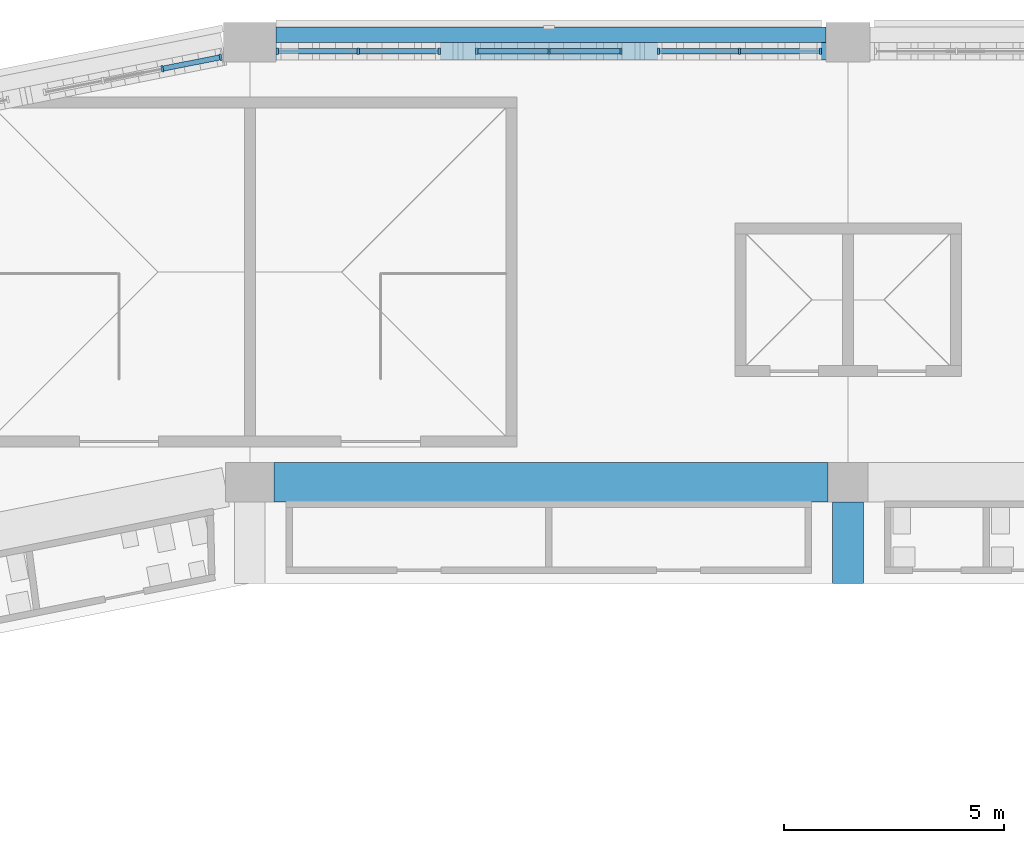
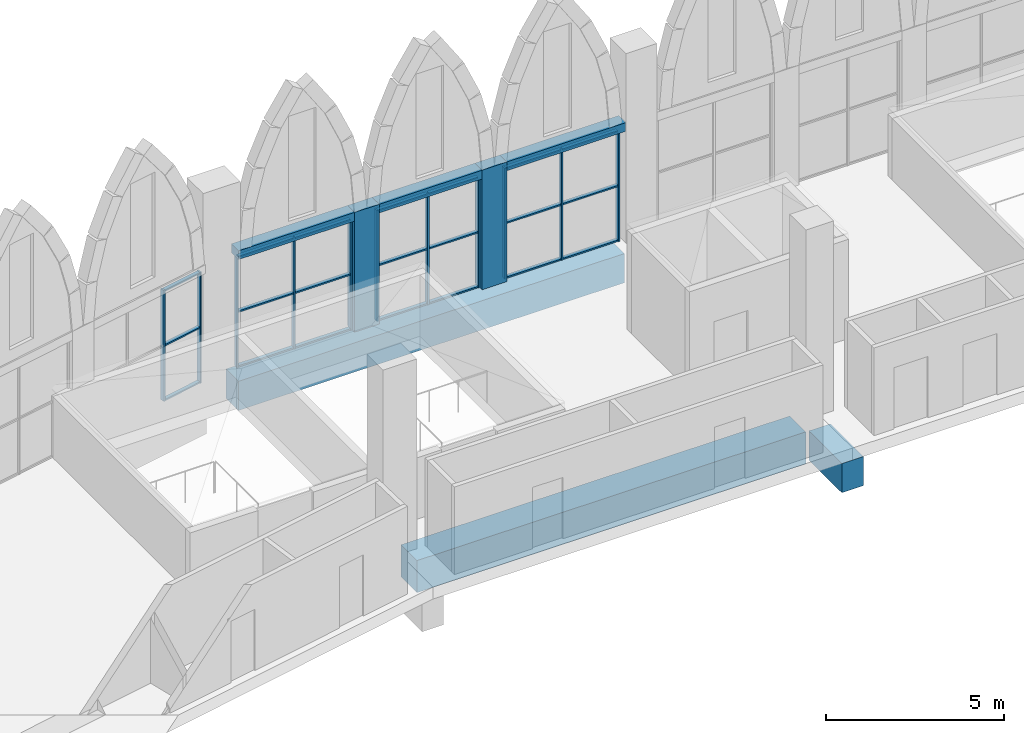
# One storey, part 35 of 130: 34 members, 6 beams, 4 elements without a shape of their own.
"""IFC4 building model written with IfcOpenShell, lengths in metres."""

from ifc_helpers import new_model, si_unit, direction, frame, origin, origin_2d, place, context, subcontext, project, spatial, rectangle, extrude, material, material_profile, profile_set, type_object, element, aggregate, save


model = new_model("IFC4")

# Units and contexts
model_context = context("Model", 3, precision=1e-05, world=origin(), true_north=direction((0.0, 1.0)))
body_context = subcontext(model_context, "Body", "Model", "MODEL_VIEW")
ifc_project = project(units=[si_unit("LENGTHUNIT", "METRE"), si_unit("AREAUNIT", "SQUARE_METRE"), si_unit("VOLUMEUNIT", "CUBIC_METRE"), si_unit("PLANEANGLEUNIT", "RADIAN"), si_unit("MASSUNIT", "GRAM", prefix="KILO")], contexts=[model_context])

# Site, building, storey
site_placement = place(None, origin())
site = spatial("IfcSite", under=ifc_project, at=site_placement, CompositionType="ELEMENT")
building_placement = place(site_placement, origin())
building = spatial("IfcBuilding", under=site, at=building_placement, Name="Ogive Plaza Stadium", CompositionType="ELEMENT")
storey_placement = place(building_placement, frame((0.0, 0.0, 22.5)))
storey = spatial("IfcBuildingStorey", under=building, at=storey_placement, Name="L05", CompositionType="ELEMENT", Elevation=22.5)

# Curtain wall, members
ifc_material_1 = material(Name="Bronze-anodised aluminium with laminated glass", Category="aluminium")
curtain_wall_type = type_object("IfcCurtainWallType", Name="Lancet curtain wall", PredefinedType="NOTDEFINED", material=ifc_material_1)
curtain_wall_1_placement = place(storey_placement, origin())
curtain_wall_1 = element("IfcCurtainWall", 1, at=curtain_wall_1_placement, inside=storey, type_object=curtain_wall_type, Name="CURTAIN WALL B31 L05", PredefinedType="NOTDEFINED")
ifc_material_2 = material(Name="Bronze-anodised aluminium", Category="aluminium")
ifc_material_profile_1 = material_profile(ifc_material_2, rectangle(XDim=0.14990234375, YDim=0.050048828125, at=origin_2d()), Name="AL 150x50")
ifc_profile_set_1 = profile_set([ifc_material_profile_1], Name="Bronze-anodised aluminium")
member_type_1 = type_object("IfcMemberType", Name="Curtain wall mullion 50x150", PredefinedType="MULLION", material=ifc_profile_set_1)
member_1_placement = place(storey_placement, frame((-35.98974609375, 101.900390625, 0.0), z_axis=(0.0, 0.0, 1.0), x_axis=(-0.195090322016, 0.980785280403, 0.0)))
member_1 = element("IfcMember", 2, at=member_1_placement, type_object=member_type_1, Name="CW-B31-L05.4 mullion 3", PredefinedType="MULLION", context=body_context, shape_type="SweptSolid", body=[
    extrude(rectangle(XDim=0.14990234375, YDim=0.050048828125, at=origin_2d()), origin(), (0.0, 0.0, 1.0), 3.800048828125),
])
member_2_placement = place(storey_placement, frame((-34.66357421875, 102.1640625, 0.0), z_axis=(0.0, 0.0, 1.0), x_axis=(-0.195090322016, 0.980785280403, 0.0)))
member_2 = element("IfcMember", 3, at=member_2_placement, type_object=member_type_1, Name="CW-B31-L05.4 mullion 4", PredefinedType="MULLION", context=body_context, shape_type="SweptSolid", body=[
    extrude(rectangle(XDim=0.14990234375, YDim=0.050048828125, at=origin_2d()), origin(), (0.0, 0.0, 1.0), 3.800048828125),
])

curtain_wall_2_placement = place(storey_placement, origin())
curtain_wall_2 = element("IfcCurtainWall", 4, at=curtain_wall_2_placement, inside=storey, type_object=curtain_wall_type, Name="CURTAIN WALL B32 L05", PredefinedType="NOTDEFINED")
member_3_placement = place(storey_placement, frame((-33.375, 102.300048828125, 0.0), z_axis=(0.0, 0.0, 1.0), x_axis=(0.0, 1.0, 0.0)))
member_3 = element("IfcMember", 5, at=member_3_placement, type_object=member_type_1, Name="CW-B32-L05.1 mullion 1", PredefinedType="MULLION", context=body_context, shape_type="SweptSolid", body=[
    extrude(rectangle(XDim=0.14990234375, YDim=0.050048828125, at=origin_2d()), origin(), (0.0, 0.0, 1.0), 3.800048828125),
])
member_4_placement = place(storey_placement, frame((-31.533447265625, 102.300048828125, 0.0), z_axis=(0.0, 0.0, 1.0), x_axis=(0.0, 1.0, 0.0)))
member_4 = element("IfcMember", 6, at=member_4_placement, type_object=member_type_1, Name="CW-B32-L05.1 mullion 2", PredefinedType="MULLION", context=body_context, shape_type="SweptSolid", body=[
    extrude(rectangle(XDim=0.14990234375, YDim=0.050048828125, at=origin_2d()), origin(), (0.0, 0.0, 1.0), 3.800048828125),
])
member_5_placement = place(storey_placement, frame((-29.691650390625, 102.300048828125, 0.0), z_axis=(0.0, 0.0, 1.0), x_axis=(0.0, 1.0, 0.0)))
member_5 = element("IfcMember", 7, at=member_5_placement, type_object=member_type_1, Name="CW-B32-L05.1 mullion 3", PredefinedType="MULLION", context=body_context, shape_type="SweptSolid", body=[
    extrude(rectangle(XDim=0.14990234375, YDim=0.050048828125, at=origin_2d()), origin(), (0.0, 0.0, 1.0), 3.800048828125),
])

curtain_wall_3_placement = place(storey_placement, origin())
curtain_wall_3 = element("IfcCurtainWall", 8, at=curtain_wall_3_placement, inside=storey, type_object=curtain_wall_type, Name="CURTAIN WALL B32 L05", PredefinedType="NOTDEFINED")
member_6_placement = place(storey_placement, frame((-28.841552734375, 102.300048828125, 0.0), z_axis=(0.0, 0.0, 1.0), x_axis=(0.0, 1.0, 0.0)))
member_6 = element("IfcMember", 9, at=member_6_placement, type_object=member_type_1, Name="CW-B32-L05.2 mullion 1", PredefinedType="MULLION", context=body_context, shape_type="SweptSolid", body=[
    extrude(rectangle(XDim=0.14990234375, YDim=0.050048828125, at=origin_2d()), origin(), (0.0, 0.0, 1.0), 3.800048828125),
])
member_7_placement = place(storey_placement, frame((-27.199951171875, 102.300048828125, 0.0), z_axis=(0.0, 0.0, 1.0), x_axis=(0.0, 1.0, 0.0)))
member_7 = element("IfcMember", 10, at=member_7_placement, type_object=member_type_1, Name="CW-B32-L05.2 mullion 2", PredefinedType="MULLION", context=body_context, shape_type="SweptSolid", body=[
    extrude(rectangle(XDim=0.14990234375, YDim=0.050048828125, at=origin_2d()), origin(), (0.0, 0.0, 1.0), 3.800048828125),
])
member_8_placement = place(storey_placement, frame((-25.558349609375, 102.300048828125, 0.0), z_axis=(0.0, 0.0, 1.0), x_axis=(0.0, 1.0, 0.0)))
member_8 = element("IfcMember", 11, at=member_8_placement, type_object=member_type_1, Name="CW-B32-L05.2 mullion 3", PredefinedType="MULLION", context=body_context, shape_type="SweptSolid", body=[
    extrude(rectangle(XDim=0.14990234375, YDim=0.050048828125, at=origin_2d()), origin(), (0.0, 0.0, 1.0), 3.800048828125),
])

curtain_wall_4_placement = place(storey_placement, origin())
curtain_wall_4 = element("IfcCurtainWall", 12, at=curtain_wall_4_placement, inside=storey, type_object=curtain_wall_type, Name="CURTAIN WALL B32 L05", PredefinedType="NOTDEFINED")
member_9_placement = place(storey_placement, frame((-24.708251953125, 102.300048828125, 0.0), z_axis=(0.0, 0.0, 1.0), x_axis=(0.0, 1.0, 0.0)))
member_9 = element("IfcMember", 13, at=member_9_placement, type_object=member_type_1, Name="CW-B32-L05.3 mullion 1", PredefinedType="MULLION", context=body_context, shape_type="SweptSolid", body=[
    extrude(rectangle(XDim=0.14990234375, YDim=0.050048828125, at=origin_2d()), origin(), (0.0, 0.0, 1.0), 3.800048828125),
])
member_10_placement = place(storey_placement, frame((-22.86669921875, 102.300048828125, 0.0), z_axis=(0.0, 0.0, 1.0), x_axis=(0.0, 1.0, 0.0)))
member_10 = element("IfcMember", 14, at=member_10_placement, type_object=member_type_1, Name="CW-B32-L05.3 mullion 2", PredefinedType="MULLION", context=body_context, shape_type="SweptSolid", body=[
    extrude(rectangle(XDim=0.14990234375, YDim=0.050048828125, at=origin_2d()), origin(), (0.0, 0.0, 1.0), 3.800048828125),
])
member_11_placement = place(storey_placement, frame((-21.02490234375, 102.300048828125, 0.0), z_axis=(0.0, 0.0, 1.0), x_axis=(0.0, 1.0, 0.0)))
member_11 = element("IfcMember", 15, at=member_11_placement, type_object=member_type_1, Name="CW-B32-L05.3 mullion 3", PredefinedType="MULLION", context=body_context, shape_type="SweptSolid", body=[
    extrude(rectangle(XDim=0.14990234375, YDim=0.050048828125, at=origin_2d()), origin(), (0.0, 0.0, 1.0), 3.800048828125),
])

# Member
ifc_material_3 = material(Name="Bronze-anodised aluminium", Category="aluminium")
ifc_material_profile_2 = material_profile(ifc_material_3, rectangle(XDim=0.1201171875, YDim=0.050048828125, at=origin_2d()), Name="AL 120x50")
ifc_profile_set_2 = profile_set([ifc_material_profile_2], Name="Bronze-anodised aluminium")
member_type_2 = type_object("IfcMemberType", Name="Curtain wall transom 50x120", PredefinedType="USERDEFINED", material=ifc_profile_set_2)
member_12_placement = place(storey_placement, frame((-35.96533203125, 101.9052734375, 0.02490234375), z_axis=(0.980810721794, 0.194962375892, 0.0), x_axis=(-0.194962375892, 0.980810721794, 0.0)))
member_12 = element("IfcMember", 16, at=member_12_placement, type_object=member_type_2, Name="CW-B31-L05.4 transom 3.1", ObjectType="TRANSOM", PredefinedType="USERDEFINED", context=body_context, shape_type="SweptSolid", body=[
    extrude(rectangle(XDim=0.1201171875, YDim=0.050048828125, at=origin_2d()), origin(), (0.0, 0.0, 1.0), 1.30224609375),
])

member_13_placement = place(storey_placement, frame((-35.96533203125, 101.9052734375, 1.89990234375), z_axis=(0.980810721794, 0.194962375892, 0.0), x_axis=(-0.194962375892, 0.980810721794, 0.0)))
member_13 = element("IfcMember", 17, at=member_13_placement, type_object=member_type_2, Name="CW-B31-L05.4 transom 3.2", ObjectType="TRANSOM", PredefinedType="USERDEFINED", context=body_context, shape_type="SweptSolid", body=[
    extrude(rectangle(XDim=0.1201171875, YDim=0.050048828125, at=origin_2d()), origin(), (0.0, 0.0, 1.0), 1.30224609375),
])

member_14_placement = place(storey_placement, frame((-35.96533203125, 101.9052734375, 3.77490234375), z_axis=(0.980810721794, 0.194962375892, 0.0), x_axis=(-0.194962375892, 0.980810721794, 0.0)))
member_14 = element("IfcMember", 18, at=member_14_placement, type_object=member_type_2, Name="CW-B31-L05.4 transom 3.3", ObjectType="TRANSOM", PredefinedType="USERDEFINED", context=body_context, shape_type="SweptSolid", body=[
    extrude(rectangle(XDim=0.1201171875, YDim=0.050048828125, at=origin_2d()), origin(), (0.0, 0.0, 1.0), 1.30224609375),
])

aggregate(curtain_wall_1, [member_1, member_2, member_12, member_13, member_14])

member_15_placement = place(storey_placement, frame((-33.35009765625, 102.300048828125, 0.02490234375), z_axis=(1.0, 0.0, 0.0), x_axis=(0.0, 1.0, 0.0)))
member_15 = element("IfcMember", 19, at=member_15_placement, type_object=member_type_2, Name="CW-B32-L05.1 transom 1.1", ObjectType="TRANSOM", PredefinedType="USERDEFINED", context=body_context, shape_type="SweptSolid", body=[
    extrude(rectangle(XDim=0.1201171875, YDim=0.050048828125, at=origin_2d()), origin(), (0.0, 0.0, 1.0), 1.791748046875),
])

member_16_placement = place(storey_placement, frame((-33.35009765625, 102.300048828125, 1.89990234375), z_axis=(1.0, 0.0, 0.0), x_axis=(0.0, 1.0, 0.0)))
member_16 = element("IfcMember", 20, at=member_16_placement, type_object=member_type_2, Name="CW-B32-L05.1 transom 1.2", ObjectType="TRANSOM", PredefinedType="USERDEFINED", context=body_context, shape_type="SweptSolid", body=[
    extrude(rectangle(XDim=0.1201171875, YDim=0.050048828125, at=origin_2d()), origin(), (0.0, 0.0, 1.0), 1.791748046875),
])

member_17_placement = place(storey_placement, frame((-33.35009765625, 102.300048828125, 3.77490234375), z_axis=(1.0, 0.0, 0.0), x_axis=(0.0, 1.0, 0.0)))
member_17 = element("IfcMember", 21, at=member_17_placement, type_object=member_type_2, Name="CW-B32-L05.1 transom 1.3", ObjectType="TRANSOM", PredefinedType="USERDEFINED", context=body_context, shape_type="SweptSolid", body=[
    extrude(rectangle(XDim=0.1201171875, YDim=0.050048828125, at=origin_2d()), origin(), (0.0, 0.0, 1.0), 1.791748046875),
])

member_18_placement = place(storey_placement, frame((-31.50830078125, 102.300048828125, 0.02490234375), z_axis=(1.0, 0.0, 0.0), x_axis=(0.0, 1.0, 0.0)))
member_18 = element("IfcMember", 22, at=member_18_placement, type_object=member_type_2, Name="CW-B32-L05.1 transom 2.1", ObjectType="TRANSOM", PredefinedType="USERDEFINED", context=body_context, shape_type="SweptSolid", body=[
    extrude(rectangle(XDim=0.1201171875, YDim=0.050048828125, at=origin_2d()), origin(), (0.0, 0.0, 1.0), 1.791748046875),
])

member_19_placement = place(storey_placement, frame((-31.50830078125, 102.300048828125, 1.89990234375), z_axis=(1.0, 0.0, 0.0), x_axis=(0.0, 1.0, 0.0)))
member_19 = element("IfcMember", 23, at=member_19_placement, type_object=member_type_2, Name="CW-B32-L05.1 transom 2.2", ObjectType="TRANSOM", PredefinedType="USERDEFINED", context=body_context, shape_type="SweptSolid", body=[
    extrude(rectangle(XDim=0.1201171875, YDim=0.050048828125, at=origin_2d()), origin(), (0.0, 0.0, 1.0), 1.791748046875),
])

member_20_placement = place(storey_placement, frame((-31.50830078125, 102.300048828125, 3.77490234375), z_axis=(1.0, 0.0, 0.0), x_axis=(0.0, 1.0, 0.0)))
member_20 = element("IfcMember", 24, at=member_20_placement, type_object=member_type_2, Name="CW-B32-L05.1 transom 2.3", ObjectType="TRANSOM", PredefinedType="USERDEFINED", context=body_context, shape_type="SweptSolid", body=[
    extrude(rectangle(XDim=0.1201171875, YDim=0.050048828125, at=origin_2d()), origin(), (0.0, 0.0, 1.0), 1.791748046875),
])

aggregate(curtain_wall_2, [member_3, member_4, member_5, member_15, member_16, member_17, member_18, member_19, member_20])

member_21_placement = place(storey_placement, frame((-28.816650390625, 102.300048828125, 0.02490234375), z_axis=(1.0, 0.0, 0.0), x_axis=(0.0, 1.0, 0.0)))
member_21 = element("IfcMember", 25, at=member_21_placement, type_object=member_type_2, Name="CW-B32-L05.2 transom 1.1", ObjectType="TRANSOM", PredefinedType="USERDEFINED", context=body_context, shape_type="SweptSolid", body=[
    extrude(rectangle(XDim=0.1201171875, YDim=0.050048828125, at=origin_2d()), origin(), (0.0, 0.0, 1.0), 1.591552734375),
])

member_22_placement = place(storey_placement, frame((-28.816650390625, 102.300048828125, 1.89990234375), z_axis=(1.0, 0.0, 0.0), x_axis=(0.0, 1.0, 0.0)))
member_22 = element("IfcMember", 26, at=member_22_placement, type_object=member_type_2, Name="CW-B32-L05.2 transom 1.2", ObjectType="TRANSOM", PredefinedType="USERDEFINED", context=body_context, shape_type="SweptSolid", body=[
    extrude(rectangle(XDim=0.1201171875, YDim=0.050048828125, at=origin_2d()), origin(), (0.0, 0.0, 1.0), 1.591552734375),
])

member_23_placement = place(storey_placement, frame((-28.816650390625, 102.300048828125, 3.77490234375), z_axis=(1.0, 0.0, 0.0), x_axis=(0.0, 1.0, 0.0)))
member_23 = element("IfcMember", 27, at=member_23_placement, type_object=member_type_2, Name="CW-B32-L05.2 transom 1.3", ObjectType="TRANSOM", PredefinedType="USERDEFINED", context=body_context, shape_type="SweptSolid", body=[
    extrude(rectangle(XDim=0.1201171875, YDim=0.050048828125, at=origin_2d()), origin(), (0.0, 0.0, 1.0), 1.591552734375),
])

member_24_placement = place(storey_placement, frame((-27.175048828125, 102.300048828125, 0.02490234375), z_axis=(1.0, 0.0, 0.0), x_axis=(0.0, 1.0, 0.0)))
member_24 = element("IfcMember", 28, at=member_24_placement, type_object=member_type_2, Name="CW-B32-L05.2 transom 2.1", ObjectType="TRANSOM", PredefinedType="USERDEFINED", context=body_context, shape_type="SweptSolid", body=[
    extrude(rectangle(XDim=0.1201171875, YDim=0.050048828125, at=origin_2d()), origin(), (0.0, 0.0, 1.0), 1.591796875),
])

member_25_placement = place(storey_placement, frame((-27.175048828125, 102.300048828125, 1.89990234375), z_axis=(1.0, 0.0, 0.0), x_axis=(0.0, 1.0, 0.0)))
member_25 = element("IfcMember", 29, at=member_25_placement, type_object=member_type_2, Name="CW-B32-L05.2 transom 2.2", ObjectType="TRANSOM", PredefinedType="USERDEFINED", context=body_context, shape_type="SweptSolid", body=[
    extrude(rectangle(XDim=0.1201171875, YDim=0.050048828125, at=origin_2d()), origin(), (0.0, 0.0, 1.0), 1.591796875),
])

member_26_placement = place(storey_placement, frame((-27.175048828125, 102.300048828125, 3.77490234375), z_axis=(1.0, 0.0, 0.0), x_axis=(0.0, 1.0, 0.0)))
member_26 = element("IfcMember", 30, at=member_26_placement, type_object=member_type_2, Name="CW-B32-L05.2 transom 2.3", ObjectType="TRANSOM", PredefinedType="USERDEFINED", context=body_context, shape_type="SweptSolid", body=[
    extrude(rectangle(XDim=0.1201171875, YDim=0.050048828125, at=origin_2d()), origin(), (0.0, 0.0, 1.0), 1.591796875),
])

aggregate(curtain_wall_3, [member_6, member_7, member_8, member_21, member_22, member_23, member_24, member_25, member_26])

member_27_placement = place(storey_placement, frame((-24.683349609375, 102.300048828125, 0.02490234375), z_axis=(1.0, 0.0, 0.0), x_axis=(0.0, 1.0, 0.0)))
member_27 = element("IfcMember", 31, at=member_27_placement, type_object=member_type_2, Name="CW-B32-L05.3 transom 1.1", ObjectType="TRANSOM", PredefinedType="USERDEFINED", context=body_context, shape_type="SweptSolid", body=[
    extrude(rectangle(XDim=0.1201171875, YDim=0.050048828125, at=origin_2d()), origin(), (0.0, 0.0, 1.0), 1.791748046875),
])

member_28_placement = place(storey_placement, frame((-24.683349609375, 102.300048828125, 1.89990234375), z_axis=(1.0, 0.0, 0.0), x_axis=(0.0, 1.0, 0.0)))
member_28 = element("IfcMember", 32, at=member_28_placement, type_object=member_type_2, Name="CW-B32-L05.3 transom 1.2", ObjectType="TRANSOM", PredefinedType="USERDEFINED", context=body_context, shape_type="SweptSolid", body=[
    extrude(rectangle(XDim=0.1201171875, YDim=0.050048828125, at=origin_2d()), origin(), (0.0, 0.0, 1.0), 1.791748046875),
])

member_29_placement = place(storey_placement, frame((-24.683349609375, 102.300048828125, 3.77490234375), z_axis=(1.0, 0.0, 0.0), x_axis=(0.0, 1.0, 0.0)))
member_29 = element("IfcMember", 33, at=member_29_placement, type_object=member_type_2, Name="CW-B32-L05.3 transom 1.3", ObjectType="TRANSOM", PredefinedType="USERDEFINED", context=body_context, shape_type="SweptSolid", body=[
    extrude(rectangle(XDim=0.1201171875, YDim=0.050048828125, at=origin_2d()), origin(), (0.0, 0.0, 1.0), 1.791748046875),
])

member_30_placement = place(storey_placement, frame((-22.841552734375, 102.300048828125, 0.02490234375), z_axis=(1.0, 0.0, 0.0), x_axis=(0.0, 1.0, 0.0)))
member_30 = element("IfcMember", 34, at=member_30_placement, type_object=member_type_2, Name="CW-B32-L05.3 transom 2.1", ObjectType="TRANSOM", PredefinedType="USERDEFINED", context=body_context, shape_type="SweptSolid", body=[
    extrude(rectangle(XDim=0.1201171875, YDim=0.050048828125, at=origin_2d()), origin(), (0.0, 0.0, 1.0), 1.79150390625),
])

member_31_placement = place(storey_placement, frame((-22.841552734375, 102.300048828125, 1.89990234375), z_axis=(1.0, 0.0, 0.0), x_axis=(0.0, 1.0, 0.0)))
member_31 = element("IfcMember", 35, at=member_31_placement, type_object=member_type_2, Name="CW-B32-L05.3 transom 2.2", ObjectType="TRANSOM", PredefinedType="USERDEFINED", context=body_context, shape_type="SweptSolid", body=[
    extrude(rectangle(XDim=0.1201171875, YDim=0.050048828125, at=origin_2d()), origin(), (0.0, 0.0, 1.0), 1.79150390625),
])

member_32_placement = place(storey_placement, frame((-22.841552734375, 102.300048828125, 3.77490234375), z_axis=(1.0, 0.0, 0.0), x_axis=(0.0, 1.0, 0.0)))
member_32 = element("IfcMember", 36, at=member_32_placement, type_object=member_type_2, Name="CW-B32-L05.3 transom 2.3", ObjectType="TRANSOM", PredefinedType="USERDEFINED", context=body_context, shape_type="SweptSolid", body=[
    extrude(rectangle(XDim=0.1201171875, YDim=0.050048828125, at=origin_2d()), origin(), (0.0, 0.0, 1.0), 1.79150390625),
])

aggregate(curtain_wall_4, [member_9, member_10, member_11, member_27, member_28, member_29, member_30, member_31, member_32])

# Members
ifc_material_4 = material(Name="Concrete C45/55 precast", Category="concrete")
ifc_material_profile_3 = material_profile(ifc_material_4, rectangle(XDim=0.39990234375, YDim=0.800048828125, at=origin_2d()), Name="RC 400x800")
ifc_profile_set_3 = profile_set([ifc_material_profile_3], Name="Concrete C45/55 precast")
member_type_3 = type_object("IfcMemberType", Name="Precast colonette 800x400", PredefinedType="POST", material=ifc_profile_set_3)
for number, where, z_axis, x_axis, name in (
    (37, (-29.2666015625, 102.300048828125, 0.0), (0.0, 0.0, 1.0), (0.0, 1.0, 0.0), "COLONETTE B32 1"),
    (38, (-25.13330078125, 102.300048828125, 0.0), (0.0, 0.0, 1.0), (0.0, 1.0, 0.0), "COLONETTE B32 2"),
):
    element("IfcMember", number, at=place(storey_placement, frame(where, z_axis=z_axis, x_axis=x_axis)), inside=storey, type_object=member_type_3, Name=name, PredefinedType="POST", context=body_context, shape_type="SweptSolid", body=[
        extrude(rectangle(XDim=0.39990234375, YDim=0.800048828125, at=origin_2d()), origin(), (0.0, 0.0, 1.0), 4.10009765625),
    ])

# Beams
ifc_material_5 = material(Name="Concrete C45/55 precast", Category="concrete")
ifc_material_profile_4 = material_profile(ifc_material_5, rectangle(XDim=0.39990234375, YDim=0.300048828125, at=origin_2d()), Name="RC 400x300")
ifc_profile_set_4 = profile_set([ifc_material_profile_4], Name="Concrete C45/55 precast")
beam_type_1 = type_object("IfcBeamType", Name="Precast tympanum lintel 400x300", PredefinedType="BEAM", material=ifc_profile_set_4)
beam_1_placement = place(storey_placement, frame((-33.429931640625, 102.300048828125, 3.949951171875), z_axis=(1.0, 0.0, 0.0), x_axis=(0.0, 1.0, 0.0)))
element("IfcBeam", 39, at=beam_1_placement, inside=storey, type_object=beam_type_1, Name="TYMPANUM LINTEL B32 1", PredefinedType="BEAM", context=body_context, shape_type="SweptSolid", body=[
    extrude(rectangle(XDim=0.39990234375, YDim=0.300048828125, at=origin_2d()), origin(), (0.0, 0.0, 1.0), 3.793212890625),
])
beam_2_placement = place(storey_placement, frame((-28.896728515625, 102.300048828125, 3.949951171875), z_axis=(1.0, 0.0, 0.0), x_axis=(0.0, 1.0, 0.0)))
element("IfcBeam", 40, at=beam_2_placement, inside=storey, type_object=beam_type_1, Name="TYMPANUM LINTEL B32 2", PredefinedType="BEAM", context=body_context, shape_type="SweptSolid", body=[
    extrude(rectangle(XDim=0.39990234375, YDim=0.300048828125, at=origin_2d()), origin(), (0.0, 0.0, 1.0), 3.393310546875),
])
beam_3_placement = place(storey_placement, frame((-24.763427734375, 102.300048828125, 3.949951171875), z_axis=(1.0, 0.0, 0.0), x_axis=(0.0, 1.0, 0.0)))
element("IfcBeam", 41, at=beam_3_placement, inside=storey, type_object=beam_type_1, Name="TYMPANUM LINTEL B32 3", PredefinedType="BEAM", context=body_context, shape_type="SweptSolid", body=[
    extrude(rectangle(XDim=0.39990234375, YDim=0.300048828125, at=origin_2d()), origin(), (0.0, 0.0, 1.0), 3.893310546875),
])
ifc_material_6 = material(Name="Concrete C40/50", Category="concrete")
ifc_material_profile_5 = material_profile(ifc_material_6, rectangle(XDim=0.699951171875, YDim=1.0, at=origin_2d()), Name="RC 700x1000")
ifc_profile_set_5 = profile_set([ifc_material_profile_5], Name="Concrete C40/50")
beam_type_2 = type_object("IfcBeamType", Name="RC radial beam 700x1000", PredefinedType="BEAM", material=ifc_profile_set_5)
beam_4_placement = place(storey_placement, frame((-20.39990234375, 90.199951171875, -0.909912109375), z_axis=(0.0, 1.0, 0.0), x_axis=(-1.0, 0.0, 0.0)))
element("IfcBeam", 42, at=beam_4_placement, inside=storey, type_object=beam_type_2, Name="Raker tail beam UT R33", PredefinedType="BEAM", context=body_context, shape_type="SweptSolid", body=[
    extrude(rectangle(XDim=0.699951171875, YDim=1.0, at=origin_2d()), origin(), (0.0, 0.0, 1.0), 1.85009765625),
])
ifc_material_7 = material(Name="Concrete C40/50", Category="concrete")
ifc_material_profile_6 = material_profile(ifc_material_7, rectangle(XDim=0.89990234375, YDim=1.10009765625, at=origin_2d()), Name="RC 900x1100")
ifc_profile_set_6 = profile_set([ifc_material_profile_6], Name="Concrete C40/50")
beam_type_3 = type_object("IfcBeamType", Name="RC ring beam 900x1100", PredefinedType="BEAM", material=ifc_profile_set_6)
beam_5_placement = place(storey_placement, frame((-33.449951171875, 92.5, -0.9599609375), z_axis=(1.0, 0.0, 0.0), x_axis=(0.0, 1.0, 0.0)))
element("IfcBeam", 43, at=beam_5_placement, inside=storey, type_object=beam_type_3, Name="Ring beam F4 L05 B32", PredefinedType="BEAM", context=body_context, shape_type="SweptSolid", body=[
    extrude(rectangle(XDim=0.89990234375, YDim=1.10009765625, at=origin_2d()), origin(), (0.0, 0.0, 1.0), 12.599853515625),
])
ifc_material_8 = material(Name="Concrete C40/50", Category="concrete")
ifc_material_profile_7 = material_profile(ifc_material_8, rectangle(XDim=0.699951171875, YDim=1.0, at=origin_2d()), Name="RC 700x1000")
ifc_profile_set_7 = profile_set([ifc_material_profile_7], Name="Concrete C40/50")
beam_type_4 = type_object("IfcBeamType", Name="RC spandrel beam 700x1000", PredefinedType="SPANDREL", material=ifc_profile_set_7)
beam_6_placement = place(storey_placement, frame((-33.39990234375, 102.5, -0.909912109375), z_axis=(1.0, 0.0, 0.0), x_axis=(0.0, 1.0, 0.0)))
element("IfcBeam", 44, at=beam_6_placement, inside=storey, type_object=beam_type_4, Name="Ring beam F5 L05 B32", PredefinedType="SPANDREL", context=body_context, shape_type="SweptSolid", body=[
    extrude(rectangle(XDim=0.699951171875, YDim=1.0, at=origin_2d()), origin(), (0.0, 0.0, 1.0), 12.5),
])

save(model, "model.ifc")
